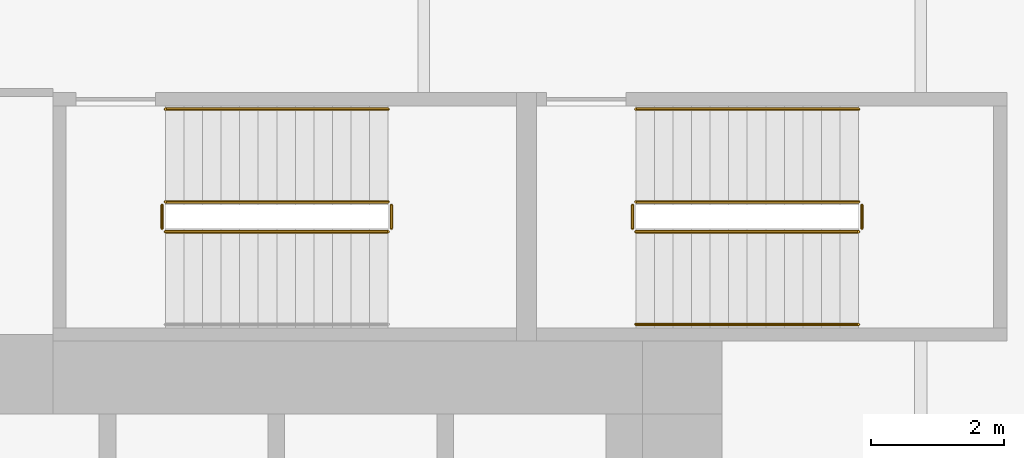
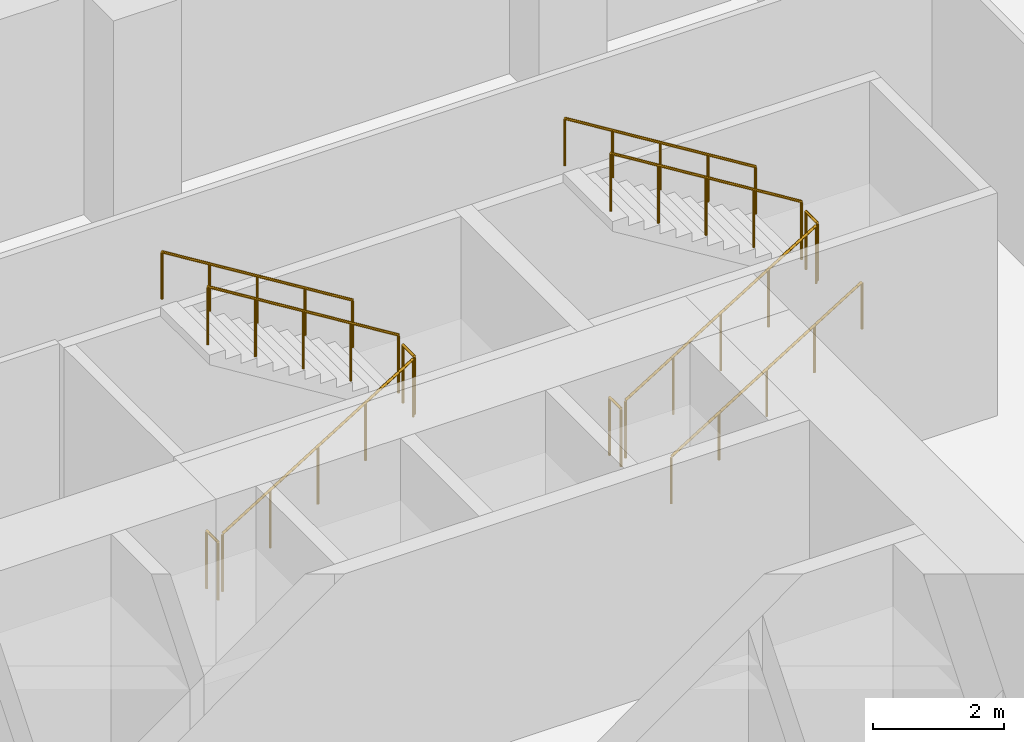
# One storey, part 11 of 11: 11 railings.
"""IFC4 building model written with IfcOpenShell, lengths in metres."""

from ifc_helpers import new_model, si_unit, direction, frame, origin, origin_2d, place, context, subcontext, project, spatial, circle, extrude, source, transform, mapped, material, type_object, element, save


model = new_model("IFC4")

# Units and contexts
model_context = context("Model", 3, precision=1e-05, world=origin(), true_north=direction((0.0, 1.0)))
body_context = subcontext(model_context, "Body", "Model", "MODEL_VIEW")
ifc_project = project(units=[si_unit("LENGTHUNIT", "METRE"), si_unit("AREAUNIT", "SQUARE_METRE"), si_unit("VOLUMEUNIT", "CUBIC_METRE"), si_unit("PLANEANGLEUNIT", "RADIAN"), si_unit("MASSUNIT", "GRAM", prefix="KILO")], contexts=[model_context])

# Site, building, storey
site_placement = place(None, origin())
site = spatial("IfcSite", under=ifc_project, at=site_placement, CompositionType="ELEMENT")
building_placement = place(site_placement, origin())
building = spatial("IfcBuilding", under=site, at=building_placement, Name="Khomas Fold Tower", CompositionType="ELEMENT")
storey_placement = place(building_placement, frame((0.0, 0.0, -4.5)))
storey = spatial("IfcBuildingStorey", under=building, at=storey_placement, Name="B1", CompositionType="ELEMENT", Elevation=-4.5)

# Railings
ifc_material_1 = material(Name="Steel balustrade", Category="steel")
railing_type_1 = type_object("IfcRailingType", Name="Stair guard", PredefinedType="GUARDRAIL", material=ifc_material_1)
shared_shape_1 = source(origin(), body_context, "Body", "SweptSolid", [
    extrude(circle(Radius=0.02392578125, at=origin_2d()), frame((0.0, 0.0, 1.076171875), z_axis=(0.850606129759, 0.0, 0.525803396734), x_axis=(0.0, 1.0, 0.0)), (0.0, 0.0, 1.0), 3.949951171875),
    extrude(circle(Radius=0.02099609375, at=origin_2d()), origin(), (0.0, 0.0, 1.0), 1.052001953125),
    extrude(circle(Radius=0.02099609375, at=origin_2d()), frame((0.83984375, 0.0, 0.519287109375)), (0.0, 0.0, 1.0), 1.052001953125),
    extrude(circle(Radius=0.02099609375, at=origin_2d()), frame((1.679931640625, 0.0, 1.03857421875)), (0.0, 0.0, 1.0), 1.052001953125),
    extrude(circle(Radius=0.02099609375, at=origin_2d()), frame((2.52001953125, 0.0, 1.5576171875)), (0.0, 0.0, 1.0), 1.052001953125),
    extrude(circle(Radius=0.02099609375, at=origin_2d()), frame((3.35986328125, 0.0, 2.076904296875)), (0.0, 0.0, 1.0), 1.052001953125),
])
railing_1_placement = place(storey_placement, frame((15.60009765625, 43.550048828125, 0.173095703125)))
element("IfcRailing", 1, at=railing_1_placement, inside=storey, type_object=railing_type_1, Name="B1 ST1 stair guard 1", PredefinedType="GUARDRAIL", context=body_context, shape_type="MappedRepresentation", body=[
    mapped(shared_shape_1, transform((0.0, 0.0, 0.0))),
])
shared_shape_2 = source(origin(), body_context, "Body", "SweptSolid", [
    extrude(circle(Radius=0.02392578125, at=origin_2d()), frame((0.0, 0.0, 1.076171875), z_axis=(0.0, 1.0, 0.0), x_axis=(-1.0, 0.0, 0.0)), (0.0, 0.0, 1.0), 0.349853515625),
    extrude(circle(Radius=0.02099609375, at=origin_2d()), origin(), (0.0, 0.0, 1.0), 1.052001953125),
    extrude(circle(Radius=0.02099609375, at=origin_2d()), frame((0.0, 0.349853515625, 0.0)), (0.0, 0.0, 1.0), 1.052001953125),
])
for number, where, name in (
    (2, (19.010009765625, 43.60009765625, 2.25), "B1 ST1 stair guard 2"),
    (3, (15.550048828125, 43.60009765625, 0.0), "B1 ST1 stair guard 4"),
    (4, (26.110107421875, 43.60009765625, 2.25), "B1 ST3 stair guard 2"),
    (5, (22.64990234375, 43.60009765625, 0.0), "B1 ST3 stair guard 4"),
):
    element("IfcRailing", number, at=place(storey_placement, frame(where)), inside=storey, type_object=railing_type_1, Name=name, PredefinedType="GUARDRAIL", context=body_context, shape_type="MappedRepresentation", body=[
        mapped(shared_shape_2, transform((0.0, 0.0, 0.0))),
    ])
shared_shape_3 = source(origin(), body_context, "Body", "SweptSolid", [
    extrude(circle(Radius=0.02392578125, at=origin_2d()), frame((0.0, 0.0, 1.076171875), z_axis=(-0.850606129759, 0.0, 0.525803396734), x_axis=(0.0, -1.0, 0.0)), (0.0, 0.0, 1.0), 3.949951171875),
    extrude(circle(Radius=0.02099609375, at=origin_2d()), origin(), (0.0, 0.0, 1.0), 1.052001953125),
    extrude(circle(Radius=0.02099609375, at=origin_2d()), frame((-0.83984375, 0.0, 0.519287109375)), (0.0, 0.0, 1.0), 1.052001953125),
    extrude(circle(Radius=0.02099609375, at=origin_2d()), frame((-1.679931640625, 0.0, 1.03857421875)), (0.0, 0.0, 1.0), 1.052001953125),
    extrude(circle(Radius=0.02099609375, at=origin_2d()), frame((-2.52001953125, 0.0, 1.5576171875)), (0.0, 0.0, 1.0), 1.052001953125),
    extrude(circle(Radius=0.02099609375, at=origin_2d()), frame((-3.35986328125, 0.0, 2.076904296875)), (0.0, 0.0, 1.0), 1.052001953125),
])
railing_2_placement = place(storey_placement, frame((18.9599609375, 44.0, 2.423095703125)))
element("IfcRailing", 6, at=railing_2_placement, inside=storey, type_object=railing_type_1, Name="B1 ST1 stair guard 3", PredefinedType="GUARDRAIL", context=body_context, shape_type="MappedRepresentation", body=[
    mapped(shared_shape_3, transform((0.0, 0.0, 0.0))),
])
ifc_material_2 = material(Name="Steel handrail", Category="steel")
railing_type_2 = type_object("IfcRailingType", Name="Stair handrail", PredefinedType="HANDRAIL", material=ifc_material_2)
shared_shape_4 = source(origin(), body_context, "Body", "SweptSolid", [
    extrude(circle(Radius=0.02392578125, at=origin_2d()), frame((0.0, 0.0, 0.8759765625), z_axis=(-0.850606129759, 0.0, 0.525803396734), x_axis=(0.0, -1.0, 0.0)), (0.0, 0.0, 1.0), 3.949951171875),
    extrude(circle(Radius=0.02099609375, at=origin_2d()), origin(), (0.0, 0.0, 1.0), 0.851806640625),
    extrude(circle(Radius=0.02099609375, at=origin_2d()), frame((-0.83984375, 0.0, 0.519287109375)), (0.0, 0.0, 1.0), 0.851806640625),
    extrude(circle(Radius=0.02099609375, at=origin_2d()), frame((-1.679931640625, 0.0, 1.03857421875)), (0.0, 0.0, 1.0), 0.851806640625),
    extrude(circle(Radius=0.02099609375, at=origin_2d()), frame((-2.52001953125, 0.0, 1.5576171875)), (0.0, 0.0, 1.0), 0.851806640625),
    extrude(circle(Radius=0.02099609375, at=origin_2d()), frame((-3.35986328125, 0.0, 2.076904296875)), (0.0, 0.0, 1.0), 0.851806640625),
])
railing_3_placement = place(storey_placement, frame((18.9599609375, 45.39990234375, 2.423095703125)))
element("IfcRailing", 7, at=railing_3_placement, inside=storey, type_object=railing_type_2, Name="B1 ST1 stair handrail 2", PredefinedType="HANDRAIL", context=body_context, shape_type="MappedRepresentation", body=[
    mapped(shared_shape_4, transform((0.0, 0.0, 0.0))),
])
shared_shape_5 = source(origin(), body_context, "Body", "SweptSolid", [
    extrude(circle(Radius=0.02392578125, at=origin_2d()), frame((0.0, 0.0, 1.076171875), z_axis=(0.850623216509, 0.0, 0.525775754039), x_axis=(0.0, 1.0, 0.0)), (0.0, 0.0, 1.0), 3.9501953125),
    extrude(circle(Radius=0.02099609375, at=origin_2d()), origin(), (0.0, 0.0, 1.0), 1.052001953125),
    extrude(circle(Radius=0.02099609375, at=origin_2d()), frame((0.840087890625, 0.0, 0.519287109375)), (0.0, 0.0, 1.0), 1.052001953125),
    extrude(circle(Radius=0.02099609375, at=origin_2d()), frame((1.68017578125, 0.0, 1.03857421875)), (0.0, 0.0, 1.0), 1.052001953125),
    extrude(circle(Radius=0.02099609375, at=origin_2d()), frame((2.52001953125, 0.0, 1.5576171875)), (0.0, 0.0, 1.0), 1.052001953125),
    extrude(circle(Radius=0.02099609375, at=origin_2d()), frame((3.360107421875, 0.0, 2.076904296875)), (0.0, 0.0, 1.0), 1.052001953125),
])
railing_4_placement = place(storey_placement, frame((22.699951171875, 43.550048828125, 0.173095703125)))
element("IfcRailing", 8, at=railing_4_placement, inside=storey, type_object=railing_type_1, Name="B1 ST3 stair guard 1", PredefinedType="GUARDRAIL", context=body_context, shape_type="MappedRepresentation", body=[
    mapped(shared_shape_5, transform((0.0, 0.0, 0.0))),
])
shared_shape_6 = source(origin(), body_context, "Body", "SweptSolid", [
    extrude(circle(Radius=0.02392578125, at=origin_2d()), frame((0.0, 0.0, 1.076171875), z_axis=(-0.850623216509, 0.0, 0.525775754039), x_axis=(0.0, -1.0, 0.0)), (0.0, 0.0, 1.0), 3.9501953125),
    extrude(circle(Radius=0.02099609375, at=origin_2d()), origin(), (0.0, 0.0, 1.0), 1.052001953125),
    extrude(circle(Radius=0.02099609375, at=origin_2d()), frame((-0.840087890625, 0.0, 0.519287109375)), (0.0, 0.0, 1.0), 1.052001953125),
    extrude(circle(Radius=0.02099609375, at=origin_2d()), frame((-1.68017578125, 0.0, 1.03857421875)), (0.0, 0.0, 1.0), 1.052001953125),
    extrude(circle(Radius=0.02099609375, at=origin_2d()), frame((-2.52001953125, 0.0, 1.5576171875)), (0.0, 0.0, 1.0), 1.052001953125),
    extrude(circle(Radius=0.02099609375, at=origin_2d()), frame((-3.360107421875, 0.0, 2.076904296875)), (0.0, 0.0, 1.0), 1.052001953125),
])
railing_5_placement = place(storey_placement, frame((26.06005859375, 44.0, 2.423095703125)))
element("IfcRailing", 9, at=railing_5_placement, inside=storey, type_object=railing_type_1, Name="B1 ST3 stair guard 3", PredefinedType="GUARDRAIL", context=body_context, shape_type="MappedRepresentation", body=[
    mapped(shared_shape_6, transform((0.0, 0.0, 0.0))),
])
shared_shape_7 = source(origin(), body_context, "Body", "SweptSolid", [
    extrude(circle(Radius=0.02392578125, at=origin_2d()), frame((0.0, 0.0, 0.8759765625), z_axis=(0.850623216509, 0.0, 0.525775754039), x_axis=(0.0, 1.0, 0.0)), (0.0, 0.0, 1.0), 3.9501953125),
    extrude(circle(Radius=0.02099609375, at=origin_2d()), origin(), (0.0, 0.0, 1.0), 0.851806640625),
    extrude(circle(Radius=0.02099609375, at=origin_2d()), frame((0.840087890625, 0.0, 0.519287109375)), (0.0, 0.0, 1.0), 0.851806640625),
    extrude(circle(Radius=0.02099609375, at=origin_2d()), frame((1.68017578125, 0.0, 1.03857421875)), (0.0, 0.0, 1.0), 0.851806640625),
    extrude(circle(Radius=0.02099609375, at=origin_2d()), frame((2.52001953125, 0.0, 1.5576171875)), (0.0, 0.0, 1.0), 0.851806640625),
    extrude(circle(Radius=0.02099609375, at=origin_2d()), frame((3.360107421875, 0.0, 2.076904296875)), (0.0, 0.0, 1.0), 0.851806640625),
])
railing_6_placement = place(storey_placement, frame((22.699951171875, 42.14990234375, 0.173095703125)))
element("IfcRailing", 10, at=railing_6_placement, inside=storey, type_object=railing_type_2, Name="B1 ST3 stair handrail 1", PredefinedType="HANDRAIL", context=body_context, shape_type="MappedRepresentation", body=[
    mapped(shared_shape_7, transform((0.0, 0.0, 0.0))),
])
shared_shape_8 = source(origin(), body_context, "Body", "SweptSolid", [
    extrude(circle(Radius=0.02392578125, at=origin_2d()), frame((0.0, 0.0, 0.8759765625), z_axis=(-0.850623216509, 0.0, 0.525775754039), x_axis=(0.0, -1.0, 0.0)), (0.0, 0.0, 1.0), 3.9501953125),
    extrude(circle(Radius=0.02099609375, at=origin_2d()), origin(), (0.0, 0.0, 1.0), 0.851806640625),
    extrude(circle(Radius=0.02099609375, at=origin_2d()), frame((-0.840087890625, 0.0, 0.519287109375)), (0.0, 0.0, 1.0), 0.851806640625),
    extrude(circle(Radius=0.02099609375, at=origin_2d()), frame((-1.68017578125, 0.0, 1.03857421875)), (0.0, 0.0, 1.0), 0.851806640625),
    extrude(circle(Radius=0.02099609375, at=origin_2d()), frame((-2.52001953125, 0.0, 1.5576171875)), (0.0, 0.0, 1.0), 0.851806640625),
    extrude(circle(Radius=0.02099609375, at=origin_2d()), frame((-3.360107421875, 0.0, 2.076904296875)), (0.0, 0.0, 1.0), 0.851806640625),
])
railing_7_placement = place(storey_placement, frame((26.06005859375, 45.39990234375, 2.423095703125)))
element("IfcRailing", 11, at=railing_7_placement, inside=storey, type_object=railing_type_2, Name="B1 ST3 stair handrail 2", PredefinedType="HANDRAIL", context=body_context, shape_type="MappedRepresentation", body=[
    mapped(shared_shape_8, transform((0.0, 0.0, 0.0))),
])

save(model, "model.ifc")
